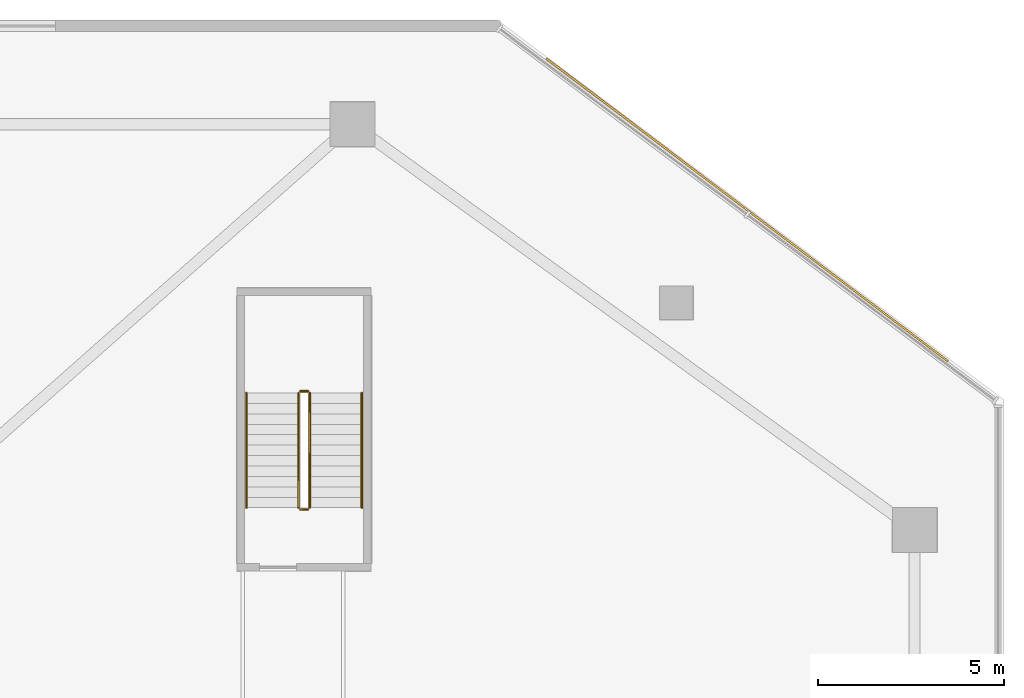
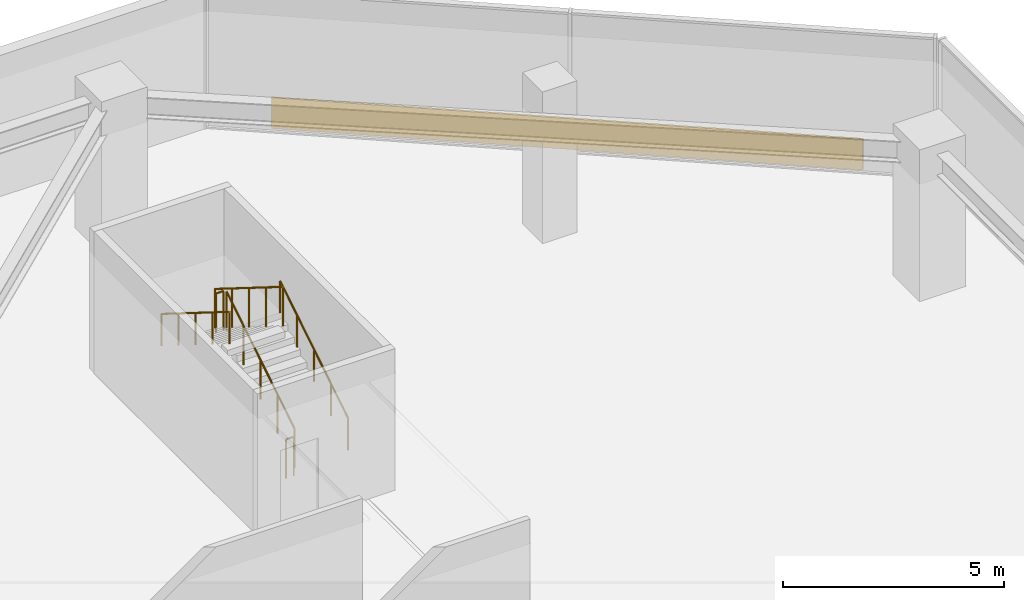
# One storey, part 20 of 21: 6 railings, 1 covering.
"""IFC4 building model written with IfcOpenShell, lengths in metres."""

import ifcopenshell
import ifcopenshell.guid

model = None  # the IFC model being written
_history = None  # IfcOwnerHistory: only IFC2X3 demands one
_inside = {}  # id of a spatial element -> (the spatial element, [elements in it])
_under = {}  # id of a project, library or spatial element -> (it, [spatial elements below it])
_declared = {}  # id of a project -> (the project, [libraries it declares])
_typed = {}  # id of a type object -> (the type object, [elements of that type])
_made_of = {}  # id of a material, layer set ... -> (it, [elements and type objects made of it])


def new_model(schema):
    """Start an empty IFC model of exactly this schema.

    Asked for "IFC4X3", IfcOpenShell would pick the latest addendum, in which some entities
    have other attributes; the version numbers below select the first issue.
    IFC2X3 requires an IfcOwnerHistory on every rooted entity: one is made here for all.
    """
    global model, _history
    if schema == "IFC4X3":
        model = ifcopenshell.file(schema_version=(4, 3, 0, 0))
    else:
        model = ifcopenshell.file(schema=schema)
    _inside.clear()
    _under.clear()
    _declared.clear()
    _typed.clear()
    _made_of.clear()
    _history = None
    if model.schema == "IFC2X3":
        org = make("IfcOrganization", Name="unknown")
        user = make(
            "IfcPersonAndOrganization",
            ThePerson=make("IfcPerson", FamilyName="unknown"),
            TheOrganization=org,
        )
        app = make(
            "IfcApplication",
            ApplicationDeveloper=org,
            Version="unknown",
            ApplicationFullName="unknown",
            ApplicationIdentifier="unknown",
        )
        _history = make(
            "IfcOwnerHistory",
            OwningUser=user,
            OwningApplication=app,
            ChangeAction="ADDED",
            CreationDate=0,
        )
    return model


def make(cls, **values):
    """One entity of the class cls with the attributes given. An attribute that is None is left unset."""
    return model.create_entity(
        cls, **{name: value for name, value in values.items() if value is not None}
    )


def rooted(cls, **values):
    """An entity with a GlobalId (a new one), such as an element, a storey or a relation."""
    return make(cls, GlobalId=ifcopenshell.guid.new(), OwnerHistory=_history, **values)


def si_unit(unit_type, name, prefix=None):
    """IfcSIUnit, for example si_unit("LENGTHUNIT", "METRE", prefix="MILLI")."""
    return make("IfcSIUnit", UnitType=unit_type, Prefix=prefix, Name=name)


def assignment(units):
    """IfcUnitAssignment: the units of a project."""
    return None if units is None else make("IfcUnitAssignment", Units=units)


def point(xyz):
    """IfcCartesianPoint."""
    return None if xyz is None else make("IfcCartesianPoint", Coordinates=xyz)


def direction(xyz):
    """IfcDirection."""
    return None if xyz is None else make("IfcDirection", DirectionRatios=xyz)


def frame(location, z_axis=None, x_axis=None):
    """IfcAxis2Placement3D, a coordinate frame: its origin and axes. An axis left out is left unset."""
    return make(
        "IfcAxis2Placement3D",
        Location=point(location),
        Axis=direction(z_axis),
        RefDirection=direction(x_axis),
    )


def frame_2d(location, x_axis=None):
    """IfcAxis2Placement2D, a coordinate frame in the plane: its origin and x axis."""
    return make(
        "IfcAxis2Placement2D", Location=point(location), RefDirection=direction(x_axis)
    )


def origin():
    """The frame at (0, 0, 0) with its axes left unset."""
    return frame((0.0, 0.0, 0.0))


def origin_2d():
    """The frame at (0, 0) in the plane with its x axis left unset."""
    return frame_2d((0.0, 0.0))


def place(relative_to, where):
    """IfcLocalPlacement: puts the frame where relative to a parent placement (None: the world)."""
    return make(
        "IfcLocalPlacement", PlacementRelTo=relative_to, RelativePlacement=where
    )


def context(
    kind, dimensions, precision=None, world=None, true_north=None, identifier=None
):
    """IfcGeometricRepresentationContext, for example the 3D "Model" context."""
    return make(
        "IfcGeometricRepresentationContext",
        ContextIdentifier=identifier,
        ContextType=kind,
        CoordinateSpaceDimension=dimensions,
        Precision=precision,
        WorldCoordinateSystem=world,
        TrueNorth=true_north,
    )


def subcontext(parent, identifier, kind, view, scale=None):
    """IfcGeometricRepresentationSubContext, for example "Body" below "Model"."""
    return make(
        "IfcGeometricRepresentationSubContext",
        ContextIdentifier=identifier,
        ContextType=kind,
        ParentContext=parent,
        TargetScale=scale,
        TargetView=view,
    )


def project(units=None, contexts=None):
    """IfcProject with its units and contexts."""
    return rooted(
        "IfcProject",
        Name="project",
        RepresentationContexts=contexts,
        UnitsInContext=assignment(units),
    )


def spatial(cls, under=None, at=None, **own):
    """A site, building, storey or space (cls), placed at a placement, below another one or the project."""
    s = rooted(cls, ObjectPlacement=at, **own)
    if under is not None:
        _under.setdefault(under.id(), (under, []))[1].append(s)
    return s


def profile(cls, at=None, kind="AREA", **sizes):
    """A parametric profile (cls). Its sizes go by their IFC names, for example OverallWidth=200.0."""
    return make(cls, ProfileType=kind, Position=at, **sizes)


def rectangle(**sizes):
    """IfcRectangleProfileDef."""
    return profile("IfcRectangleProfileDef", **sizes)


def circle(**sizes):
    """IfcCircleProfileDef."""
    return profile("IfcCircleProfileDef", **sizes)


def extrude(swept, where, along, depth):
    """IfcExtrudedAreaSolid: the profile swept, set in the frame where, extruded along a direction by depth."""
    return make(
        "IfcExtrudedAreaSolid",
        SweptArea=swept,
        Position=where,
        ExtrudedDirection=direction(along),
        Depth=depth,
    )


def shape(context_of_items, identifier, shape_type, items):
    """IfcShapeRepresentation: the items that make up one representation, for example the "Body"."""
    return make(
        "IfcShapeRepresentation",
        ContextOfItems=context_of_items,
        RepresentationIdentifier=identifier,
        RepresentationType=shape_type,
        Items=items,
    )


def material(Name=None, Category=None):
    """IfcMaterial."""
    return make("IfcMaterial", Name=Name, Category=Category)


def layer(
    of_material, thickness, ventilated=None, Name=None, Category=None, Priority=None
):
    """IfcMaterialLayer: one layer of a wall or slab, of a material (None: an air gap)."""
    return make(
        "IfcMaterialLayer",
        Material=of_material,
        LayerThickness=thickness,
        IsVentilated=ventilated,
        Name=Name,
        Category=Category,
        Priority=Priority,
    )


def layer_set(layers, Name=None):
    """IfcMaterialLayerSet."""
    return make("IfcMaterialLayerSet", MaterialLayers=layers, LayerSetName=Name)


def made_of(thing, what):
    """Note that an element or type object is made of a material, layer set ...; save() writes the relation."""
    if what is not None:
        _made_of.setdefault(what.id(), (what, []))[1].append(thing)
    return thing


def type_object(cls, material=None, **own):
    """A type object (cls), such as IfcWallType, which elements share."""
    return made_of(rooted(cls, **own), material)


def element(
    cls,
    number,
    at=None,
    inside=None,
    cuts=None,
    type_object=None,
    material=None,
    context=None,
    identifier="Body",
    shape_type=None,
    held_by="IfcProductDefinitionShape",
    body=None,
    shapes=None,
    **own,
):
    """One element of the class cls, such as IfcWall. Its Tag is "e" and its number.

    at: its placement. inside: the storey or other place that contains it. cuts: it is an
    opening in that element (IfcRelVoidsElement). A single representation is given by context,
    identifier, shape_type and body (its items); several are given by shapes. held_by: the class
    of the entity that holds the representations. save() writes the other relations.
    """
    e = rooted(cls, Tag="e%d" % number, ObjectPlacement=at, **own)
    if body is not None:
        shapes = [shape(context, identifier, shape_type, body)]
    if shapes is not None:
        e.Representation = make(held_by, Representations=shapes)
    if inside is not None:
        _inside.setdefault(inside.id(), (inside, []))[1].append(e)
    if cuts is not None:
        rooted(
            "IfcRelVoidsElement", RelatingBuildingElement=cuts, RelatedOpeningElement=e
        )
    if type_object is not None:
        _typed.setdefault(type_object.id(), (type_object, []))[1].append(e)
    return made_of(e, material)


def aggregate(whole, parts):
    """IfcRelAggregates: a whole, such as a stair, and the parts it consists of."""
    return rooted("IfcRelAggregates", RelatingObject=whole, RelatedObjects=parts)


def save(model, path):
    """Write the relations noted so far, then the file.

    IfcRelAggregates (storeys below a building ...), IfcRelContainedInSpatialStructure (elements
    in a storey), IfcRelDefinesByType, IfcRelAssociatesMaterial and IfcRelDeclares: one each for
    every whole, place, type object, material and project.
    """
    for whole, parts in _under.values():
        aggregate(whole, parts)
    for where, things in _inside.values():
        rooted(
            "IfcRelContainedInSpatialStructure",
            RelatedElements=things,
            RelatingStructure=where,
        )
    for kind, things in _typed.values():
        rooted("IfcRelDefinesByType", RelatedObjects=things, RelatingType=kind)
    for what, things in _made_of.values():
        rooted("IfcRelAssociatesMaterial", RelatedObjects=things, RelatingMaterial=what)
    for by, libraries in _declared.values():
        rooted("IfcRelDeclares", RelatingContext=by, RelatedDefinitions=libraries)
    model.write(path)


model = new_model("IFC4")

# Units and contexts
model_context = context("Model", 3, precision=1e-05, world=origin(), true_north=direction((0.0, 1.0)))
body_context = subcontext(model_context, "Body", "Model", "MODEL_VIEW")
ifc_project = project(units=[si_unit("LENGTHUNIT", "METRE"), si_unit("AREAUNIT", "SQUARE_METRE"), si_unit("VOLUMEUNIT", "CUBIC_METRE"), si_unit("PLANEANGLEUNIT", "RADIAN"), si_unit("MASSUNIT", "GRAM", prefix="KILO")], contexts=[model_context])

# Site, building, storey
site_placement = place(None, origin())
site = spatial("IfcSite", under=ifc_project, at=site_placement, CompositionType="ELEMENT")
building_placement = place(site_placement, origin())
building = spatial("IfcBuilding", under=site, at=building_placement, Name="Savorim Split Tower", CompositionType="ELEMENT")
storey_placement = place(building_placement, frame((0.0, 0.0, 5.0)))
storey = spatial("IfcBuildingStorey", under=building, at=storey_placement, Name="L01", CompositionType="ELEMENT", Elevation=5.0)

# Covering
ifc_material_1 = material(Name="Terracotta Ceramic-Coated Aluminium Fin", Category="masonry")
ifc_layer = layer(ifc_material_1, 0.050048828125)
ifc_layer_set = layer_set([ifc_layer], Name="COV-CLAD-TERRA")
covering_type = type_object("IfcCoveringType", Name="COV-CLAD-TERRA", PredefinedType="CLADDING", material=ifc_layer_set)
covering_placement = place(storey_placement, frame((34.10009765625, 23.10009765625, 0.02490234375), z_axis=(0.0, 0.0, 1.0), x_axis=(-0.798635510047, 0.601815023152, 0.0)))
element("IfcCovering", 1, at=covering_placement, inside=storey, type_object=covering_type, Name="L01 NE Podium Spandrel Cladding", PredefinedType="CLADDING", context=body_context, shape_type="SweptSolid", body=[
    extrude(rectangle(XDim=13.5, YDim=0.050048828125, at=origin_2d()), origin(), (0.0, 0.0, 1.0), 0.85009765625),
])

# Railings
ifc_material_2 = material(Name="Galvanised Painted Steel Balustrade", Category="steel")
railing_type_1 = type_object("IfcRailingType", Name="RLG-HR-900", PredefinedType="HANDRAIL", material=ifc_material_2)
railing_1_placement = place(storey_placement, frame((23.75, 15.10009765625, 0.175048828125)))
element("IfcRailing", 2, at=railing_1_placement, inside=storey, type_object=railing_type_1, Name="L01 ST-3 stair handrail 1", PredefinedType="HANDRAIL", context=body_context, shape_type="SweptSolid", body=[
    extrude(circle(Radius=0.02392578125, at=origin_2d()), frame((0.0, 0.0, 0.8759765625), z_axis=(0.0, 0.847979421464, 0.530029150871), x_axis=(-1.0, 0.0, 0.0)), (0.0, 0.0, 1.0), 3.632080078125),
    extrude(circle(Radius=0.02099609375, at=origin_2d()), origin(), (0.0, 0.0, 1.0), 0.851806640625),
    extrude(circle(Radius=0.02099609375, at=origin_2d()), frame((0.0, 0.77001953125, 0.481201171875)), (0.0, 0.0, 1.0), 0.851806640625),
    extrude(circle(Radius=0.02099609375, at=origin_2d()), frame((0.0, 1.5400390625, 0.96240234375)), (0.0, 0.0, 1.0), 0.851806640625),
    extrude(circle(Radius=0.02099609375, at=origin_2d()), frame((0.0, 2.309814453125, 1.44384765625)), (0.0, 0.0, 1.0), 0.851806640625),
    extrude(circle(Radius=0.02099609375, at=origin_2d()), frame((0.0, 3.079833984375, 1.925048828125)), (0.0, 0.0, 1.0), 0.851806640625),
])
railing_2_placement = place(storey_placement, frame((20.64990234375, 18.179931640625, 2.27490234375)))
element("IfcRailing", 3, at=railing_2_placement, inside=storey, type_object=railing_type_1, Name="L01 ST-3 stair handrail 2", PredefinedType="HANDRAIL", context=body_context, shape_type="SweptSolid", body=[
    extrude(circle(Radius=0.02392578125, at=origin_2d()), frame((0.0, 0.0, 0.8759765625), z_axis=(0.0, -0.847979421464, 0.530029150871), x_axis=(1.0, 0.0, 0.0)), (0.0, 0.0, 1.0), 3.632080078125),
    extrude(circle(Radius=0.02099609375, at=origin_2d()), origin(), (0.0, 0.0, 1.0), 0.851806640625),
    extrude(circle(Radius=0.02099609375, at=origin_2d()), frame((0.0, -0.77001953125, 0.481201171875)), (0.0, 0.0, 1.0), 0.851806640625),
    extrude(circle(Radius=0.02099609375, at=origin_2d()), frame((0.0, -1.5400390625, 0.96240234375)), (0.0, 0.0, 1.0), 0.851806640625),
    extrude(circle(Radius=0.02099609375, at=origin_2d()), frame((0.0, -2.309814453125, 1.44384765625)), (0.0, 0.0, 1.0), 0.851806640625),
    extrude(circle(Radius=0.02099609375, at=origin_2d()), frame((0.0, -3.079833984375, 1.925048828125)), (0.0, 0.0, 1.0), 0.851806640625),
])
railing_type_2 = type_object("IfcRailingType", Name="RLG-STG-1100", PredefinedType="BALUSTRADE", material=ifc_material_2)
railing_3_placement = place(storey_placement, frame((22.35009765625, 15.10009765625, 0.175048828125)))
element("IfcRailing", 4, at=railing_3_placement, inside=storey, type_object=railing_type_2, Name="L01 ST-3 stair guard 1", PredefinedType="BALUSTRADE", context=body_context, shape_type="SweptSolid", body=[
    extrude(circle(Radius=0.02392578125, at=origin_2d()), frame((0.0, 0.0, 1.076171875), z_axis=(0.0, 0.847979421464, 0.530029150871), x_axis=(-1.0, 0.0, 0.0)), (0.0, 0.0, 1.0), 3.632080078125),
    extrude(circle(Radius=0.02099609375, at=origin_2d()), origin(), (0.0, 0.0, 1.0), 1.052001953125),
    extrude(circle(Radius=0.02099609375, at=origin_2d()), frame((0.0, 0.77001953125, 0.481201171875)), (0.0, 0.0, 1.0), 1.052001953125),
    extrude(circle(Radius=0.02099609375, at=origin_2d()), frame((0.0, 1.5400390625, 0.96240234375)), (0.0, 0.0, 1.0), 1.052001953125),
    extrude(circle(Radius=0.02099609375, at=origin_2d()), frame((0.0, 2.309814453125, 1.44384765625)), (0.0, 0.0, 1.0), 1.052001953125),
    extrude(circle(Radius=0.02099609375, at=origin_2d()), frame((0.0, 3.079833984375, 1.925048828125)), (0.0, 0.0, 1.0), 1.052001953125),
])
railing_4_placement = place(storey_placement, frame((22.300048828125, 18.22998046875, 2.10009765625)))
element("IfcRailing", 5, at=railing_4_placement, inside=storey, type_object=railing_type_2, Name="L01 ST-3 stair guard 2", PredefinedType="BALUSTRADE", context=body_context, shape_type="SweptSolid", body=[
    extrude(circle(Radius=0.02392578125, at=origin_2d()), frame((0.0, 0.0, 1.076171875), z_axis=(-1.0, 0.0, 0.0), x_axis=(0.0, -1.0, 0.0)), (0.0, 0.0, 1.0), 0.199951171875),
    extrude(circle(Radius=0.02099609375, at=origin_2d()), origin(), (0.0, 0.0, 1.0), 1.052001953125),
    extrude(circle(Radius=0.02099609375, at=origin_2d()), frame((-0.199951171875, 0.0, 0.0)), (0.0, 0.0, 1.0), 1.052001953125),
])
railing_5_placement = place(storey_placement, frame((22.050048828125, 18.179931640625, 2.27490234375)))
element("IfcRailing", 6, at=railing_5_placement, inside=storey, type_object=railing_type_2, Name="L01 ST-3 stair guard 3", PredefinedType="BALUSTRADE", context=body_context, shape_type="SweptSolid", body=[
    extrude(circle(Radius=0.02392578125, at=origin_2d()), frame((0.0, 0.0, 1.076171875), z_axis=(0.0, -0.847979421464, 0.530029150871), x_axis=(1.0, 0.0, 0.0)), (0.0, 0.0, 1.0), 3.632080078125),
    extrude(circle(Radius=0.02099609375, at=origin_2d()), origin(), (0.0, 0.0, 1.0), 1.052001953125),
    extrude(circle(Radius=0.02099609375, at=origin_2d()), frame((0.0, -0.77001953125, 0.481201171875)), (0.0, 0.0, 1.0), 1.052001953125),
    extrude(circle(Radius=0.02099609375, at=origin_2d()), frame((0.0, -1.5400390625, 0.96240234375)), (0.0, 0.0, 1.0), 1.052001953125),
    extrude(circle(Radius=0.02099609375, at=origin_2d()), frame((0.0, -2.309814453125, 1.44384765625)), (0.0, 0.0, 1.0), 1.052001953125),
    extrude(circle(Radius=0.02099609375, at=origin_2d()), frame((0.0, -3.079833984375, 1.925048828125)), (0.0, 0.0, 1.0), 1.052001953125),
])
railing_6_placement = place(storey_placement, frame((22.300048828125, 15.050048828125, 0.0)))
element("IfcRailing", 7, at=railing_6_placement, inside=storey, type_object=railing_type_2, Name="L01 ST-3 stair guard 4", PredefinedType="BALUSTRADE", context=body_context, shape_type="SweptSolid", body=[
    extrude(circle(Radius=0.02392578125, at=origin_2d()), frame((0.0, 0.0, 1.076171875), z_axis=(-1.0, 0.0, 0.0), x_axis=(0.0, -1.0, 0.0)), (0.0, 0.0, 1.0), 0.199951171875),
    extrude(circle(Radius=0.02099609375, at=origin_2d()), origin(), (0.0, 0.0, 1.0), 1.052001953125),
    extrude(circle(Radius=0.02099609375, at=origin_2d()), frame((-0.199951171875, 0.0, 0.0)), (0.0, 0.0, 1.0), 1.052001953125),
])

save(model, "model.ifc")
